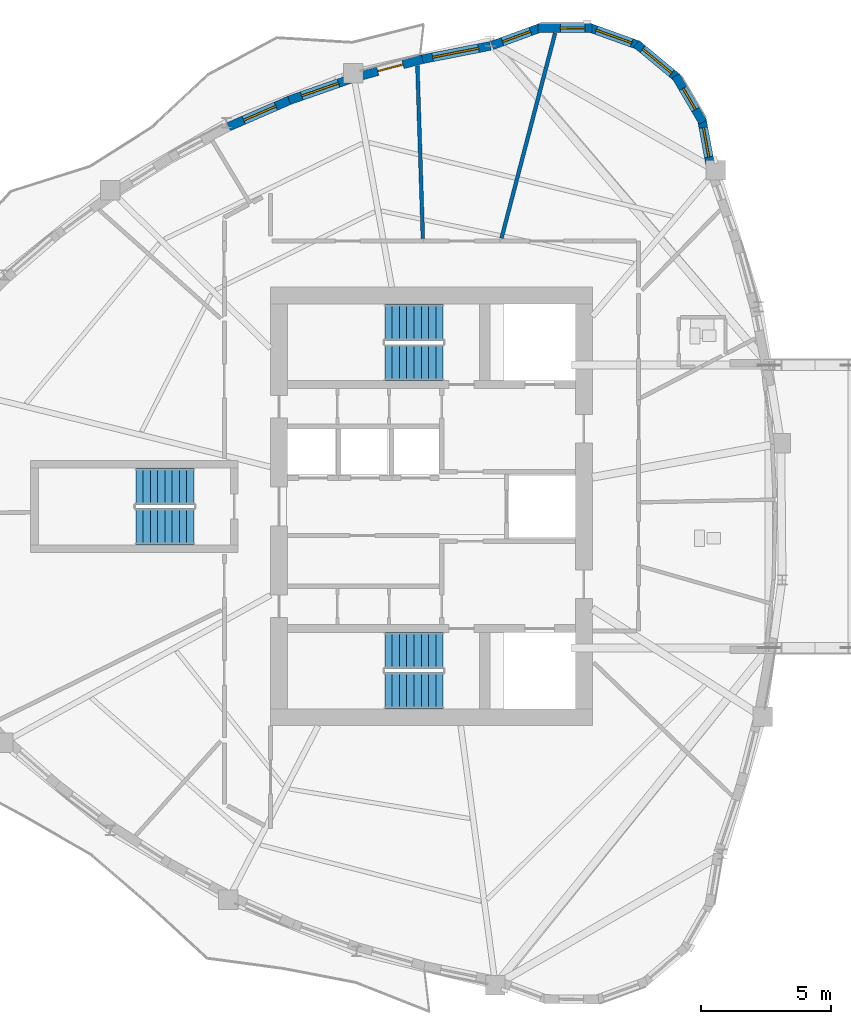
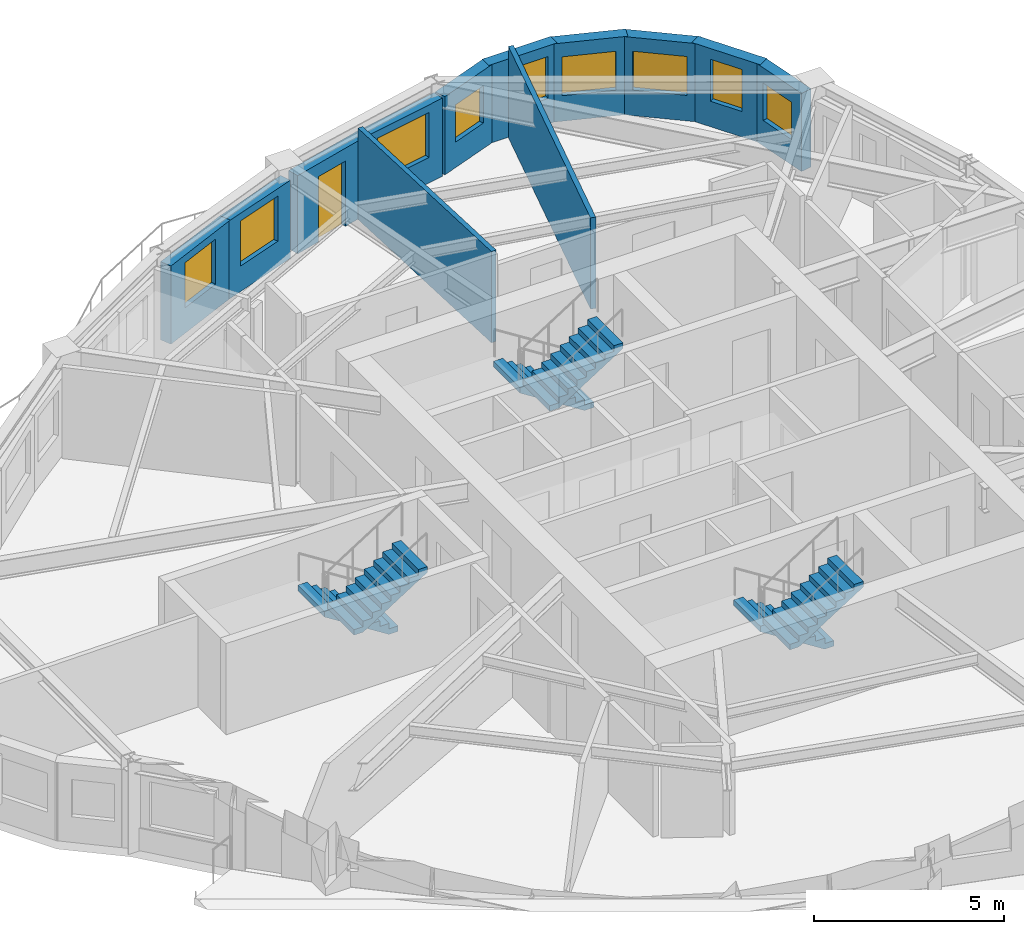
# One storey, part 9 of 13: 12 walls, 9 windows, 6 stair flights, 1 door, 10 openings, 3 elements without a shape of their own.
"""IFC4 building model written with IfcOpenShell, lengths in metres."""

from ifc_helpers import new_model, si_unit, direction, frame, frame_2d, origin, place, context, subcontext, project, spatial, polyline, rectangle, outline, extrude, source, transform, mapped, material, layer, layer_set, type_object, element, fill, aggregate, save


model = new_model("IFC4")

# Units and contexts
model_context = context("Model", 3, precision=1e-05, world=origin(), true_north=direction((0.0, 1.0)))
body_context = subcontext(model_context, "Body", "Model", "MODEL_VIEW")
ifc_project = project(units=[si_unit("LENGTHUNIT", "METRE"), si_unit("AREAUNIT", "SQUARE_METRE"), si_unit("VOLUMEUNIT", "CUBIC_METRE"), si_unit("PLANEANGLEUNIT", "RADIAN"), si_unit("MASSUNIT", "GRAM", prefix="KILO")], contexts=[model_context])

# Site, building, storey
site_placement = place(None, origin())
site = spatial("IfcSite", under=ifc_project, at=site_placement, CompositionType="ELEMENT")
building_placement = place(site_placement, origin())
building = spatial("IfcBuilding", under=site, at=building_placement, Name="Qafzar Sky-Pleat Residences", CompositionType="ELEMENT")
storey_placement = place(building_placement, frame((0.0, 0.0, 152.199951171875)))
storey = spatial("IfcBuildingStorey", under=building, at=storey_placement, Name="L45", CompositionType="ELEMENT", Elevation=152.199951171875)

# Walls
ifc_material_1 = material(Name="Acoustic gypsum plasterboard partition", Category="gypsum")
ifc_layer_1 = layer(ifc_material_1, 0.14501953125)
ifc_layer_set_1 = layer_set([ifc_layer_1], Name="Acoustic gypsum plasterboard partition")
wall_type_1 = type_object("IfcWallType", Name="PART-UNIT-145", PredefinedType="PARTITIONING", material=ifc_layer_set_1)
wall_1_placement = place(storey_placement, frame((33.0517578125, 36.336181640625, 0.0), z_axis=(0.0, 0.0, 1.0), x_axis=(0.252838925964, 0.967508386277, 0.0)))
element("IfcWall", 1, at=wall_1_placement, inside=storey, type_object=wall_type_1, Name="L45 Partition Wall PART-L45-PW-017", PredefinedType="PARTITIONING", context=body_context, shape_type="SweptSolid", body=[
    extrude(rectangle(XDim=8.173828125, YDim=0.14501953125, at=frame_2d((4.0869140625, 0.0))), origin(), (0.0, 0.0, 1.0), 2.93505859375),
])
wall_2_placement = place(storey_placement, frame((29.81005859375, 42.9853515625, 0.0), z_axis=(0.0, 0.0, 1.0), x_axis=(0.031815387529, -0.99949376242, 0.0)))
element("IfcWall", 2, at=wall_2_placement, inside=storey, type_object=wall_type_1, Name="L45 Partition Wall PART-L45-PW-020", PredefinedType="PARTITIONING", context=body_context, shape_type="SweptSolid", body=[
    extrude(rectangle(XDim=6.66845703125, YDim=0.14501953125, at=frame_2d((3.334228515625, 0.0))), origin(), (0.0, 0.0, 1.0), 2.93505859375),
])

# Wall, opening, window
ifc_material_2 = material(Name="Precast concrete C40/50 with honed Riyadh limestone", Category="concrete")
ifc_layer_2 = layer(ifc_material_2, 0.340087890625)
ifc_layer_set_2 = layer_set([ifc_layer_2], Name="Precast concrete C40/50 with honed Riyadh limestone")
wall_type_2 = type_object("IfcWallType", Name="WALL-EXT-340", PredefinedType="SOLIDWALL", material=ifc_layer_set_2)
wall_3_placement = place(storey_placement, frame((41.115478515625, 39.076171875, 0.0), z_axis=(0.0, 0.0, 1.0), x_axis=(-0.182320770307, 0.983239104549, 0.0)))
wall_3 = element("IfcWall", 3, at=wall_3_placement, inside=storey, type_object=wall_type_2, Name="L45 Limestone Facade Wall 33", PredefinedType="SOLIDWALL", context=body_context, shape_type="SweptSolid", body=[
    extrude(rectangle(XDim=1.88818359375, YDim=0.340087890625, at=frame_2d((0.944091796875, 0.0))), origin(), (0.0, 0.0, 1.0), 2.51513671875),
])
opening_1_placement = place(wall_3_placement, frame((0.404052734375, 0.0, 0.820068359375)))
opening_1 = element("IfcOpeningElement", 4, at=opening_1_placement, cuts=wall_3, Name="Opening WN-16", PredefinedType="OPENING", context=body_context, shape_type="SweptSolid", body=[
    extrude(rectangle(XDim=1.14990234375, YDim=1.199951171875, at=frame_2d((0.574951171875, 0.60009765625))), frame((0.0, 0.18017578125, 0.0), z_axis=(0.0, -1.0, 0.0), x_axis=(1.0, 0.0, 0.0)), (0.0, 0.0, 1.0), 0.360107421875),
])
ifc_material_3 = material(Name="Solar-control low-E glass in bronze aluminium frame", Category="glass")
window_type_1 = type_object("IfcWindowType", Name="WIN-16", PartitioningType="SINGLE_PANEL", PredefinedType="WINDOW", material=ifc_material_3)
shared_shape_1 = source(origin(), body_context, "Body", "SweptSolid", [
    extrude(rectangle(XDim=1.14990234375, YDim=1.199951171875, at=frame_2d((0.574951171875, 0.60009765625))), frame((0.0, 0.030029296875, 0.0), z_axis=(0.0, -1.0, 0.0), x_axis=(1.0, 0.0, 0.0)), (0.0, 0.0, 1.0), 0.06005859375),
])
window_1_placement = place(opening_1_placement, origin())
window_1 = element("IfcWindow", 5, at=window_1_placement, inside=storey, type_object=window_type_1, Name="L45 Punched Facade Window 33", OverallHeight=1.199951171875, OverallWidth=1.14990234375, PartitioningType="SINGLE_PANEL", PredefinedType="WINDOW", context=body_context, shape_type="MappedRepresentation", body=[
    mapped(shared_shape_1, transform((0.0, 0.0, 0.0), x_axis=(1.0, 0.0, 0.0), y_axis=(0.0, 1.0, 0.0), z_axis=(0.0, 0.0, 1.0), scale=1.0)),
])
fill(opening_1, window_1)

wall_4_placement = place(storey_placement, frame((40.818115234375, 40.8076171875, 0.0), z_axis=(0.0, 0.0, 1.0), x_axis=(-0.506312473438, 0.86235009088, 0.0)))
wall_4 = element("IfcWall", 6, at=wall_4_placement, inside=storey, type_object=wall_type_2, Name="L45 Limestone Facade Wall 34", PredefinedType="SOLIDWALL", context=body_context, shape_type="SweptSolid", body=[
    extrude(rectangle(XDim=2.0810546875, YDim=0.340087890625, at=frame_2d((1.04052734375, 0.0))), origin(), (0.0, 0.0, 1.0), 2.51513671875),
])
opening_2_placement = place(wall_4_placement, frame((0.565673828125, 0.0, 0.820068359375)))
opening_2 = element("IfcOpeningElement", 7, at=opening_2_placement, cuts=wall_4, Name="Opening WN-12", PredefinedType="OPENING", context=body_context, shape_type="SweptSolid", body=[
    extrude(rectangle(XDim=0.949951171875, YDim=1.35009765625, at=frame_2d((0.47509765625, 0.675048828125))), frame((0.0, 0.18017578125, 0.0), z_axis=(0.0, -1.0, 0.0), x_axis=(1.0, 0.0, 0.0)), (0.0, 0.0, 1.0), 0.360107421875),
])
window_type_2 = type_object("IfcWindowType", Name="WIN-12", PartitioningType="SINGLE_PANEL", PredefinedType="WINDOW", material=ifc_material_3)
shared_shape_2 = source(origin(), body_context, "Body", "SweptSolid", [
    extrude(rectangle(XDim=0.949951171875, YDim=1.35009765625, at=frame_2d((0.47509765625, 0.675048828125))), frame((0.0, 0.030029296875, 0.0), z_axis=(0.0, -1.0, 0.0), x_axis=(1.0, 0.0, 0.0)), (0.0, 0.0, 1.0), 0.06005859375),
])
window_2_placement = place(opening_2_placement, origin())
window_2 = element("IfcWindow", 8, at=window_2_placement, inside=storey, type_object=window_type_2, Name="L45 Punched Facade Window 34", OverallHeight=1.35009765625, OverallWidth=0.949951171875, PartitioningType="SINGLE_PANEL", PredefinedType="WINDOW", context=body_context, shape_type="MappedRepresentation", body=[
    mapped(shared_shape_2, transform((0.0, 0.0, 0.0), x_axis=(1.0, 0.0, 0.0), y_axis=(0.0, 1.0, 0.0), z_axis=(0.0, 0.0, 1.0), scale=1.0)),
])
fill(opening_2, window_2)

wall_5_placement = place(storey_placement, frame((39.850830078125, 42.50048828125, 0.0), z_axis=(0.0, 0.0, 1.0), x_axis=(-0.769642650648, 0.638474894028, 0.0)))
wall_5 = element("IfcWall", 9, at=wall_5_placement, inside=storey, type_object=wall_type_2, Name="L45 Limestone Facade Wall 35", PredefinedType="SOLIDWALL", context=body_context, shape_type="SweptSolid", body=[
    extrude(rectangle(XDim=2.080810546875, YDim=0.340087890625, at=frame_2d((1.04052734375, 0.0))), origin(), (0.0, 0.0, 1.0), 2.51513671875),
])
opening_3_placement = place(wall_5_placement, frame((0.3154296875, 0.0, 0.820068359375)))
opening_3 = element("IfcOpeningElement", 10, at=opening_3_placement, cuts=wall_5, Name="Opening WN-15", PredefinedType="OPENING", context=body_context, shape_type="SweptSolid", body=[
    extrude(rectangle(XDim=1.449951171875, YDim=1.25, at=frame_2d((0.72509765625, 0.625))), frame((0.0, 0.18017578125, 0.0), z_axis=(0.0, -1.0, 0.0), x_axis=(1.0, 0.0, 0.0)), (0.0, 0.0, 1.0), 0.360107421875),
])
window_type_3 = type_object("IfcWindowType", Name="WIN-15", PartitioningType="SINGLE_PANEL", PredefinedType="WINDOW", material=ifc_material_3)
shared_shape_3 = source(origin(), body_context, "Body", "SweptSolid", [
    extrude(rectangle(XDim=1.449951171875, YDim=1.25, at=frame_2d((0.72509765625, 0.625))), frame((0.0, 0.030029296875, 0.0), z_axis=(0.0, -1.0, 0.0), x_axis=(1.0, 0.0, 0.0)), (0.0, 0.0, 1.0), 0.06005859375),
])
window_3_placement = place(opening_3_placement, origin())
window_3 = element("IfcWindow", 11, at=window_3_placement, inside=storey, type_object=window_type_3, Name="L45 Punched Facade Window 35", OverallHeight=1.25, OverallWidth=1.449951171875, PartitioningType="SINGLE_PANEL", PredefinedType="WINDOW", context=body_context, shape_type="MappedRepresentation", body=[
    mapped(shared_shape_3, transform((0.0, 0.0, 0.0), x_axis=(1.0, 0.0, 0.0), y_axis=(0.0, 1.0, 0.0), z_axis=(0.0, 0.0, 1.0), scale=1.0)),
])
fill(opening_3, window_3)

wall_6_placement = place(storey_placement, frame((38.365234375, 43.762939453125, 0.0), z_axis=(0.0, 0.0, 1.0), x_axis=(-0.941071215914, 0.338208466153, 0.0)))
wall_6 = element("IfcWall", 12, at=wall_6_placement, inside=storey, type_object=wall_type_2, Name="L45 Limestone Facade Wall 36", PredefinedType="SOLIDWALL", context=body_context, shape_type="SweptSolid", body=[
    extrude(rectangle(XDim=2.0810546875, YDim=0.340087890625, at=frame_2d((1.04052734375, 0.0))), origin(), (0.0, 0.0, 1.0), 2.51513671875),
])
opening_4_placement = place(wall_6_placement, frame((0.315673828125, 0.0, 0.820068359375)))
opening_4 = element("IfcOpeningElement", 13, at=opening_4_placement, cuts=wall_6, Name="Opening WN-15", PredefinedType="OPENING", context=body_context, shape_type="SweptSolid", body=[
    extrude(rectangle(XDim=1.449951171875, YDim=1.25, at=frame_2d((0.72509765625, 0.625))), frame((0.0, 0.18017578125, 0.0), z_axis=(0.0, -1.0, 0.0), x_axis=(1.0, 0.0, 0.0)), (0.0, 0.0, 1.0), 0.360107421875),
])
window_4_placement = place(opening_4_placement, origin())
window_4 = element("IfcWindow", 14, at=window_4_placement, inside=storey, type_object=window_type_3, Name="L45 Punched Facade Window 36", OverallHeight=1.25, OverallWidth=1.449951171875, PartitioningType="SINGLE_PANEL", PredefinedType="WINDOW", context=body_context, shape_type="MappedRepresentation", body=[
    mapped(shared_shape_3, transform((0.0, 0.0, 0.0), x_axis=(1.0, 0.0, 0.0), y_axis=(0.0, 1.0, 0.0), z_axis=(0.0, 0.0, 1.0), scale=1.0)),
])
fill(opening_4, window_4)

wall_7_placement = place(storey_placement, frame((36.538330078125, 44.44384765625, 0.0), z_axis=(0.0, 0.0, 1.0), x_axis=(-0.999997247411, -0.002346309825, 0.0)))
wall_7 = element("IfcWall", 15, at=wall_7_placement, inside=storey, type_object=wall_type_2, Name="L45 Limestone Facade Wall 37", PredefinedType="SOLIDWALL", context=body_context, shape_type="SweptSolid", body=[
    extrude(rectangle(XDim=2.0810546875, YDim=0.340087890625, at=frame_2d((1.04052734375, 0.0))), origin(), (0.0, 0.0, 1.0), 2.51513671875),
])
opening_5_placement = place(wall_7_placement, frame((0.2705078125, 0.0, 0.820068359375)))
opening_5 = element("IfcOpeningElement", 16, at=opening_5_placement, cuts=wall_7, Name="Opening WN-12", PredefinedType="OPENING", context=body_context, shape_type="SweptSolid", body=[
    extrude(rectangle(XDim=0.949951171875, YDim=1.35009765625, at=frame_2d((0.47509765625, 0.675048828125))), frame((0.0, 0.18017578125, 0.0), z_axis=(0.0, -1.0, 0.0), x_axis=(1.0, 0.0, 0.0)), (0.0, 0.0, 1.0), 0.360107421875),
])
window_5_placement = place(opening_5_placement, origin())
window_5 = element("IfcWindow", 17, at=window_5_placement, inside=storey, type_object=window_type_2, Name="L45 Punched Facade Window 37", OverallHeight=1.35009765625, OverallWidth=0.949951171875, PartitioningType="SINGLE_PANEL", PredefinedType="WINDOW", context=body_context, shape_type="MappedRepresentation", body=[
    mapped(shared_shape_2, transform((0.0, 0.0, 0.0), x_axis=(1.0, 0.0, 0.0), y_axis=(0.0, 1.0, 0.0), z_axis=(0.0, 0.0, 1.0), scale=1.0)),
])
fill(opening_5, window_5)

wall_8_placement = place(storey_placement, frame((34.5888671875, 44.46240234375, 0.0), z_axis=(0.0, 0.0, 1.0), x_axis=(-0.939387553708, -0.342857148007, 0.0)))
wall_8 = element("IfcWall", 18, at=wall_8_placement, inside=storey, type_object=wall_type_2, Name="L45 Limestone Facade Wall 38", PredefinedType="SOLIDWALL", context=body_context, shape_type="SweptSolid", body=[
    extrude(rectangle(XDim=2.02294921875, YDim=0.340087890625, at=frame_2d((1.011474609375, 0.0))), origin(), (0.0, 0.0, 1.0), 2.51513671875),
])
opening_6_placement = place(wall_8_placement, frame((0.446533203125, 0.0, 0.820068359375)))
opening_6 = element("IfcOpeningElement", 19, at=opening_6_placement, cuts=wall_8, Name="Opening WN-16", PredefinedType="OPENING", context=body_context, shape_type="SweptSolid", body=[
    extrude(rectangle(XDim=1.14990234375, YDim=1.199951171875, at=frame_2d((0.574951171875, 0.60009765625))), frame((0.0, 0.18017578125, 0.0), z_axis=(0.0, -1.0, 0.0), x_axis=(1.0, 0.0, 0.0)), (0.0, 0.0, 1.0), 0.360107421875),
])
window_6_placement = place(opening_6_placement, origin())
window_6 = element("IfcWindow", 20, at=window_6_placement, inside=storey, type_object=window_type_1, Name="L45 Punched Facade Window 38", OverallHeight=1.199951171875, OverallWidth=1.14990234375, PartitioningType="SINGLE_PANEL", PredefinedType="WINDOW", context=body_context, shape_type="MappedRepresentation", body=[
    mapped(shared_shape_1, transform((0.0, 0.0, 0.0), x_axis=(1.0, 0.0, 0.0), y_axis=(0.0, 1.0, 0.0), z_axis=(0.0, 0.0, 1.0), scale=1.0)),
])
fill(opening_6, window_6)

wall_9_placement = place(storey_placement, frame((32.62451171875, 43.7509765625, 0.0), z_axis=(0.0, 0.0, 1.0), x_axis=(-0.981232663103, -0.192827541756, 0.0)))
wall_9 = element("IfcWall", 21, at=wall_9_placement, inside=storey, type_object=wall_type_2, Name="L45 Limestone Facade Wall 39", PredefinedType="SOLIDWALL", context=body_context, shape_type="SweptSolid", body=[
    extrude(rectangle(XDim=2.75634765625, YDim=0.340087890625, at=frame_2d((1.378173828125, 0.0))), origin(), (0.0, 0.0, 1.0), 2.51513671875),
])
opening_7_placement = place(wall_9_placement, frame((0.468017578125, 0.0, 0.820068359375)))
opening_7 = element("IfcOpeningElement", 22, at=opening_7_placement, cuts=wall_9, Name="Opening WN-01", PredefinedType="OPENING", context=body_context, shape_type="SweptSolid", body=[
    extrude(rectangle(XDim=1.800048828125, YDim=1.449951171875, at=frame_2d((0.89990234375, 0.72509765625))), frame((0.0, 0.18017578125, 0.0), z_axis=(0.0, -1.0, 0.0), x_axis=(1.0, 0.0, 0.0)), (0.0, 0.0, 1.0), 0.360107421875),
])
window_type_4 = type_object("IfcWindowType", Name="WIN-01", PartitioningType="DOUBLE_PANEL_VERTICAL", PredefinedType="WINDOW", material=ifc_material_3)
shared_shape_4 = source(origin(), body_context, "Body", "SweptSolid", [
    extrude(rectangle(XDim=1.800048828125, YDim=1.449951171875, at=frame_2d((0.89990234375, 0.72509765625))), frame((0.0, 0.030029296875, 0.0), z_axis=(0.0, -1.0, 0.0), x_axis=(1.0, 0.0, 0.0)), (0.0, 0.0, 1.0), 0.06005859375),
])
window_7_placement = place(opening_7_placement, origin())
window_7 = element("IfcWindow", 23, at=window_7_placement, inside=storey, type_object=window_type_4, Name="L45 Punched Facade Window 39", OverallHeight=1.449951171875, OverallWidth=1.800048828125, PartitioningType="SINGLE_PANEL", PredefinedType="WINDOW", context=body_context, shape_type="MappedRepresentation", body=[
    mapped(shared_shape_4, transform((0.0, 0.0, 0.0), x_axis=(1.0, 0.0, 0.0), y_axis=(0.0, 1.0, 0.0), z_axis=(0.0, 0.0, 1.0), scale=1.0)),
])
fill(opening_7, window_7)

# Wall, opening, door
wall_10_placement = place(storey_placement, frame((30.005615234375, 43.239501953125, 0.0), z_axis=(0.0, 0.0, 1.0), x_axis=(-0.965448248334, -0.260594857563, 0.0)))
wall_10 = element("IfcWall", 24, at=wall_10_placement, inside=storey, type_object=wall_type_2, Name="L45 Limestone Facade Wall 40", PredefinedType="SOLIDWALL", context=body_context, shape_type="SweptSolid", body=[
    extrude(rectangle(XDim=2.564208984375, YDim=0.340087890625, at=frame_2d((1.2822265625, 0.0))), origin(), (0.0, 0.0, 1.0), 2.51513671875),
])
opening_8_placement = place(wall_10_placement, frame((0.781982421875, 0.0, 0.0)))
opening_8 = element("IfcOpeningElement", 25, at=opening_8_placement, cuts=wall_10, Name="Opening ED-05", PredefinedType="OPENING", context=body_context, shape_type="SweptSolid", body=[
    extrude(rectangle(XDim=1.0, YDim=2.10009765625, at=frame_2d((0.5, 1.050048828125))), frame((0.0, 0.18017578125, 0.0), z_axis=(0.0, -1.0, 0.0), x_axis=(1.0, 0.0, 0.0)), (0.0, 0.0, 1.0), 0.360107421875),
])
ifc_material_4 = material(Name="Glazed bronze aluminium door", Category="aluminium")
door_type = type_object("IfcDoorType", Name="DR-BAL-1000", OperationType="NOTDEFINED", PredefinedType="DOOR", material=ifc_material_4)
shared_shape_5 = source(origin(), body_context, "Body", "SweptSolid", [
    extrude(rectangle(XDim=1.0, YDim=2.10009765625, at=frame_2d((0.5, 1.050048828125))), frame((0.0, 0.02490234375, 0.0), z_axis=(0.0, -1.0, 0.0), x_axis=(1.0, 0.0, 0.0)), (0.0, 0.0, 1.0), 0.050048828125),
])
door_placement = place(opening_8_placement, origin())
door = element("IfcDoor", 26, at=door_placement, inside=storey, type_object=door_type, Name="L45 Glazed Balcony Door 1", OperationType="SINGLE_SWING_LEFT", OverallHeight=2.10009765625, OverallWidth=1.0, PredefinedType="DOOR", context=body_context, shape_type="MappedRepresentation", body=[
    mapped(shared_shape_5, transform((0.0, 0.0, 0.0), x_axis=(1.0, 0.0, 0.0), y_axis=(0.0, 1.0, 0.0), z_axis=(0.0, 0.0, 1.0), scale=1.0)),
])
fill(opening_8, door)

# Wall, opening, window
wall_11_placement = place(storey_placement, frame((27.245849609375, 42.4833984375, 0.0), z_axis=(0.0, 0.0, 1.0), x_axis=(-0.944132901201, -0.32956496305, 0.0)))
wall_11 = element("IfcWall", 27, at=wall_11_placement, inside=storey, type_object=wall_type_2, Name="L45 Limestone Facade Wall 41", PredefinedType="SOLIDWALL", context=body_context, shape_type="SweptSolid", body=[
    extrude(rectangle(XDim=2.520263671875, YDim=0.340087890625, at=frame_2d((1.26025390625, 0.0))), origin(), (0.0, 0.0, 1.0), 2.51513671875),
])
opening_9_placement = place(wall_11_placement, frame((0.505126953125, 0.0, 0.820068359375)))
opening_9 = element("IfcOpeningElement", 28, at=opening_9_placement, cuts=wall_11, Name="Opening WN-03", PredefinedType="OPENING", context=body_context, shape_type="SweptSolid", body=[
    extrude(rectangle(XDim=1.5, YDim=1.449951171875, at=frame_2d((0.75, 0.72509765625))), frame((0.0, 0.18017578125, 0.0), z_axis=(0.0, -1.0, 0.0), x_axis=(1.0, 0.0, 0.0)), (0.0, 0.0, 1.0), 0.360107421875),
])
window_type_5 = type_object("IfcWindowType", Name="WIN-03", PartitioningType="DOUBLE_PANEL_VERTICAL", PredefinedType="WINDOW", material=ifc_material_3)
shared_shape_6 = source(origin(), body_context, "Body", "SweptSolid", [
    extrude(rectangle(XDim=1.5, YDim=1.449951171875, at=frame_2d((0.75, 0.72509765625))), frame((0.0, 0.030029296875, 0.0), z_axis=(0.0, -1.0, 0.0), x_axis=(1.0, 0.0, 0.0)), (0.0, 0.0, 1.0), 0.06005859375),
])
window_8_placement = place(opening_9_placement, origin())
window_8 = element("IfcWindow", 29, at=window_8_placement, inside=storey, type_object=window_type_5, Name="L45 Punched Facade Window 41", OverallHeight=1.449951171875, OverallWidth=1.5, PartitioningType="SINGLE_PANEL", PredefinedType="WINDOW", context=body_context, shape_type="MappedRepresentation", body=[
    mapped(shared_shape_6, transform((0.0, 0.0, 0.0), x_axis=(1.0, 0.0, 0.0), y_axis=(0.0, 1.0, 0.0), z_axis=(0.0, 0.0, 1.0), scale=1.0)),
])
fill(opening_9, window_8)

wall_12_placement = place(storey_placement, frame((24.948974609375, 41.68505859375, 0.0), z_axis=(0.0, 0.0, 1.0), x_axis=(-0.917112921707, -0.398627506373, 0.0)))
wall_12 = element("IfcWall", 30, at=wall_12_placement, inside=storey, type_object=wall_type_2, Name="L45 Limestone Facade Wall 42", PredefinedType="SOLIDWALL", context=body_context, shape_type="SweptSolid", body=[
    extrude(rectangle(XDim=2.62548828125, YDim=0.340087890625, at=frame_2d((1.312744140625, 0.0))), origin(), (0.0, 0.0, 1.0), 2.51513671875),
])
opening_10_placement = place(wall_12_placement, frame((0.647705078125, 0.0, 0.820068359375)))
opening_10 = element("IfcOpeningElement", 31, at=opening_10_placement, cuts=wall_12, Name="Opening WN-04", PredefinedType="OPENING", context=body_context, shape_type="SweptSolid", body=[
    extrude(rectangle(XDim=1.35009765625, YDim=1.449951171875, at=frame_2d((0.675048828125, 0.72509765625))), frame((0.0, 0.18017578125, 0.0), z_axis=(0.0, -1.0, 0.0), x_axis=(1.0, 0.0, 0.0)), (0.0, 0.0, 1.0), 0.360107421875),
])
window_type_6 = type_object("IfcWindowType", Name="WIN-04", PartitioningType="SINGLE_PANEL", PredefinedType="WINDOW", material=ifc_material_3)
shared_shape_7 = source(origin(), body_context, "Body", "SweptSolid", [
    extrude(rectangle(XDim=1.35009765625, YDim=1.449951171875, at=frame_2d((0.675048828125, 0.72509765625))), frame((0.0, 0.030029296875, 0.0), z_axis=(0.0, -1.0, 0.0), x_axis=(1.0, 0.0, 0.0)), (0.0, 0.0, 1.0), 0.06005859375),
])
window_9_placement = place(opening_10_placement, origin())
window_9 = element("IfcWindow", 32, at=window_9_placement, inside=storey, type_object=window_type_6, Name="L45 Punched Facade Window 42", OverallHeight=1.449951171875, OverallWidth=1.35009765625, PartitioningType="SINGLE_PANEL", PredefinedType="WINDOW", context=body_context, shape_type="MappedRepresentation", body=[
    mapped(shared_shape_7, transform((0.0, 0.0, 0.0), x_axis=(1.0, 0.0, 0.0), y_axis=(0.0, 1.0, 0.0), z_axis=(0.0, 0.0, 1.0), scale=1.0)),
])
fill(opening_10, window_9)

# Stair, stair flights
ifc_material_5 = material(Name="Concrete C40/50", Category="concrete")
stair_type = type_object("IfcStairType", Name="STAIR-H320", PredefinedType="HALF_TURN_STAIR", material=ifc_material_5)
stair_1_placement = place(storey_placement, origin())
stair_1 = element("IfcStair", 33, at=stair_1_placement, inside=storey, type_object=stair_type, Name="L45 Protected Exit Stair ST1", PredefinedType="HALF_TURN_STAIR")
stair_flight_type = type_object("IfcStairFlightType", Name="FLIGHT-H320", PredefinedType="STRAIGHT", material=ifc_material_5)
shared_shape_8 = source(origin(), body_context, "Body", "SweptSolid", [
    extrude(outline(polyline([(0.0, 0.0), (0.0, 0.177734375), (0.280029296875, 0.177734375), (0.280029296875, 0.35546875), (0.56005859375, 0.35546875), (0.56005859375, 0.533447265625), (0.840087890625, 0.533447265625), (0.840087890625, 0.711181640625), (1.1201171875, 0.711181640625), (1.1201171875, 0.888916015625), (1.39990234375, 0.888916015625), (1.39990234375, 1.066650390625), (1.679931640625, 1.066650390625), (1.679931640625, 1.244384765625), (1.9599609375, 1.244384765625), (1.9599609375, 1.422119140625), (2.239990234375, 1.422119140625), (2.239990234375, 1.60009765625), (2.239990234375, 1.24462890625), (0.27978515625, 0.0), (0.0, 0.0)])), frame((0.0, 0.699951171875, 0.0), z_axis=(0.0, -1.0, 0.0), x_axis=(1.0, 0.0, 0.0)), (0.0, 0.0, 1.0), 1.39990234375),
])
stair_flight_1_placement = place(storey_placement, frame((30.800048828125, 20.449951171875, 0.0), z_axis=(0.0, 0.0, 1.0), x_axis=(-1.0, 0.0, 0.0)))
stair_flight_1 = element("IfcStairFlight", 34, at=stair_flight_1_placement, type_object=stair_flight_type, Name="ST1 flight 1", NumberOfRisers=9, NumberOfTreads=8, PredefinedType="STRAIGHT", RiserHeight=0.177777778, TreadLength=0.28, context=body_context, shape_type="MappedRepresentation", body=[
    mapped(shared_shape_8, transform((0.0, 0.0, 0.0), x_axis=(1.0, 0.0, 0.0), y_axis=(0.0, 1.0, 0.0), z_axis=(0.0, 0.0, 1.0), scale=1.0)),
])
stair_flight_2_placement = place(storey_placement, frame((28.56005859375, 18.89990234375, 1.60009765625), z_axis=(0.0, 0.0, 1.0), x_axis=(1.0, 0.0, 0.0)))
stair_flight_2 = element("IfcStairFlight", 35, at=stair_flight_2_placement, type_object=stair_flight_type, Name="ST1 flight 2", NumberOfRisers=9, NumberOfTreads=8, PredefinedType="STRAIGHT", RiserHeight=0.177777778, TreadLength=0.28, context=body_context, shape_type="MappedRepresentation", body=[
    mapped(shared_shape_8, transform((0.0, 0.0, 0.0), x_axis=(1.0, 0.0, 0.0), y_axis=(0.0, 1.0, 0.0), z_axis=(0.0, 0.0, 1.0), scale=1.0)),
])
aggregate(stair_1, [stair_flight_1, stair_flight_2])

stair_2_placement = place(storey_placement, origin())
stair_2 = element("IfcStair", 36, at=stair_2_placement, inside=storey, type_object=stair_type, Name="L45 Protected Exit Stair ST2", PredefinedType="HALF_TURN_STAIR")
stair_flight_3_placement = place(storey_placement, frame((30.800048828125, 33.10009765625, 0.0), z_axis=(0.0, 0.0, 1.0), x_axis=(-1.0, 0.0, 0.0)))
stair_flight_3 = element("IfcStairFlight", 37, at=stair_flight_3_placement, type_object=stair_flight_type, Name="ST2 flight 1", NumberOfRisers=9, NumberOfTreads=8, PredefinedType="STRAIGHT", RiserHeight=0.177777778, TreadLength=0.28, context=body_context, shape_type="MappedRepresentation", body=[
    mapped(shared_shape_8, transform((0.0, 0.0, 0.0), x_axis=(1.0, 0.0, 0.0), y_axis=(0.0, 1.0, 0.0), z_axis=(0.0, 0.0, 1.0), scale=1.0)),
])
stair_flight_4_placement = place(storey_placement, frame((28.56005859375, 31.550048828125, 1.60009765625), z_axis=(0.0, 0.0, 1.0), x_axis=(1.0, 0.0, 0.0)))
stair_flight_4 = element("IfcStairFlight", 38, at=stair_flight_4_placement, type_object=stair_flight_type, Name="ST2 flight 2", NumberOfRisers=9, NumberOfTreads=8, PredefinedType="STRAIGHT", RiserHeight=0.177777778, TreadLength=0.28, context=body_context, shape_type="MappedRepresentation", body=[
    mapped(shared_shape_8, transform((0.0, 0.0, 0.0), x_axis=(1.0, 0.0, 0.0), y_axis=(0.0, 1.0, 0.0), z_axis=(0.0, 0.0, 1.0), scale=1.0)),
])
aggregate(stair_2, [stair_flight_3, stair_flight_4])

stair_3_placement = place(storey_placement, origin())
stair_3 = element("IfcStair", 39, at=stair_3_placement, inside=storey, type_object=stair_type, Name="L45 Protected Exit Stair ST3", PredefinedType="HALF_TURN_STAIR")
stair_flight_5_placement = place(storey_placement, frame((21.199951171875, 26.77490234375, 0.0), z_axis=(0.0, 0.0, 1.0), x_axis=(-1.0, 0.0, 0.0)))
stair_flight_5 = element("IfcStairFlight", 40, at=stair_flight_5_placement, type_object=stair_flight_type, Name="ST3 flight 1", NumberOfRisers=9, NumberOfTreads=8, PredefinedType="STRAIGHT", RiserHeight=0.177777778, TreadLength=0.28, context=body_context, shape_type="MappedRepresentation", body=[
    mapped(shared_shape_8, transform((0.0, 0.0, 0.0), x_axis=(1.0, 0.0, 0.0), y_axis=(0.0, 1.0, 0.0), z_axis=(0.0, 0.0, 1.0), scale=1.0)),
])
stair_flight_6_placement = place(storey_placement, frame((18.9599609375, 25.22509765625, 1.60009765625), z_axis=(0.0, 0.0, 1.0), x_axis=(1.0, 0.0, 0.0)))
stair_flight_6 = element("IfcStairFlight", 41, at=stair_flight_6_placement, type_object=stair_flight_type, Name="ST3 flight 2", NumberOfRisers=9, NumberOfTreads=8, PredefinedType="STRAIGHT", RiserHeight=0.177777778, TreadLength=0.28, context=body_context, shape_type="MappedRepresentation", body=[
    mapped(shared_shape_8, transform((0.0, 0.0, 0.0), x_axis=(1.0, 0.0, 0.0), y_axis=(0.0, 1.0, 0.0), z_axis=(0.0, 0.0, 1.0), scale=1.0)),
])
aggregate(stair_3, [stair_flight_5, stair_flight_6])

save(model, "model.ifc")
